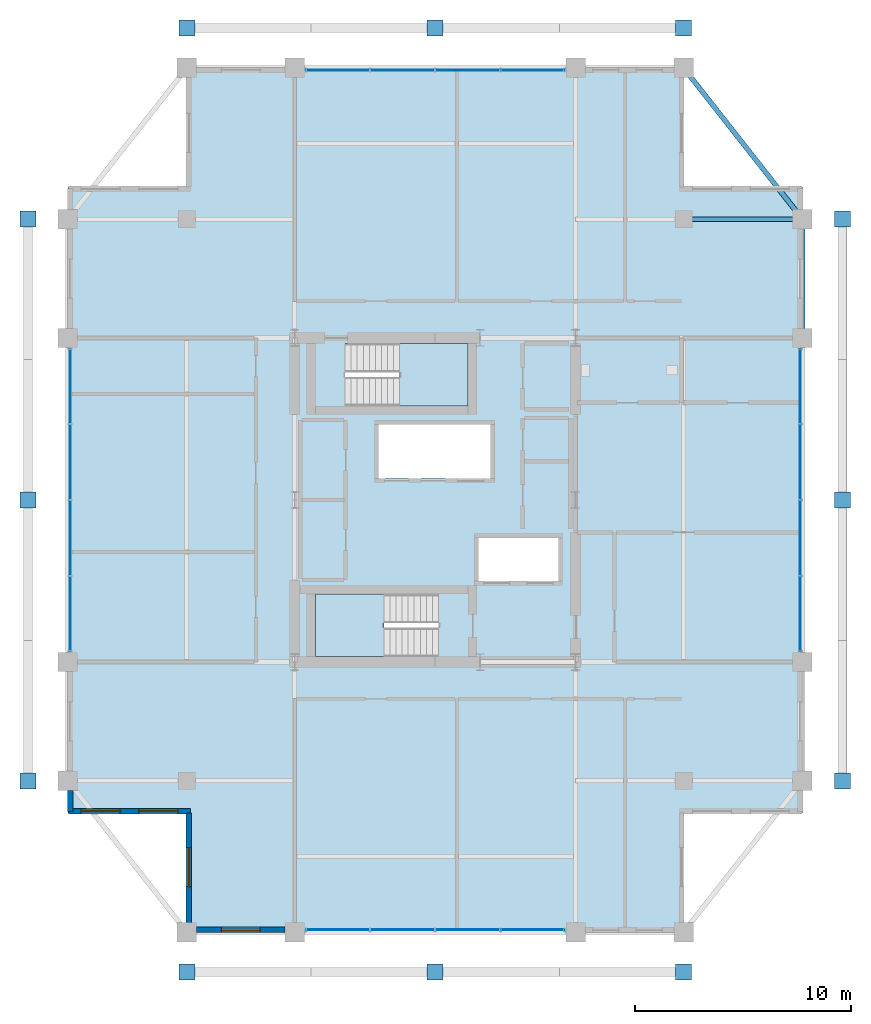
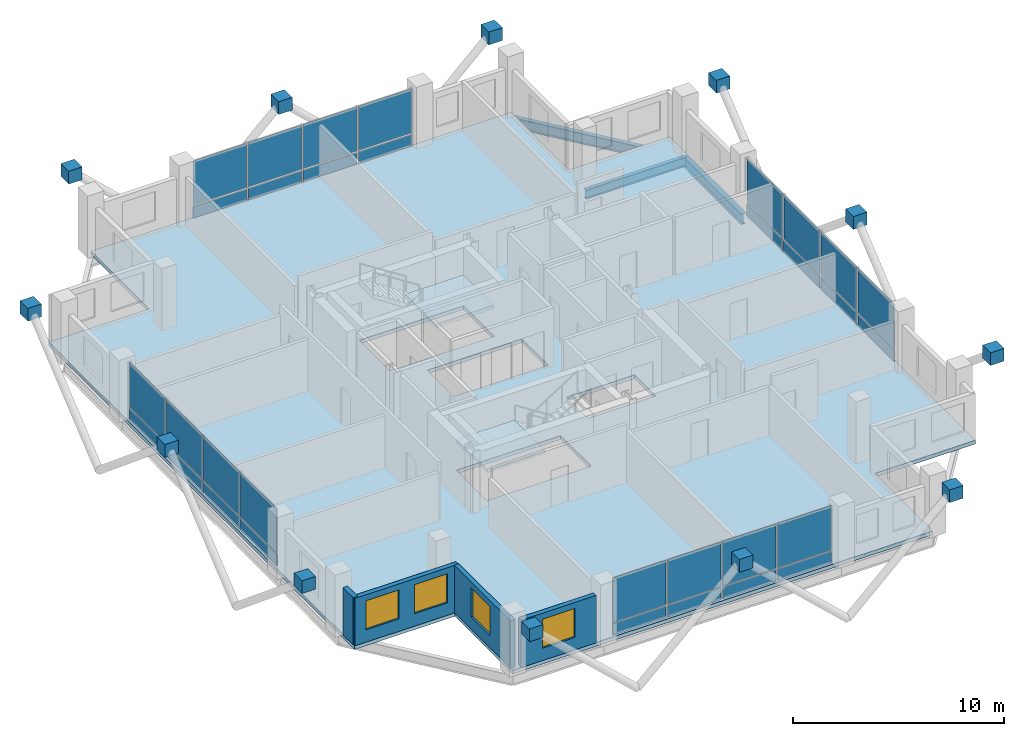
# One storey, part 17 of 22: 44 plates, 4 walls, 4 windows, 3 beams, 3 slabs, 4 openings, 6 elements without a shape of their own.
"""IFC4 building model written with IfcOpenShell, lengths in metres."""

from ifc_helpers import new_model, si_unit, direction, frame, frame_2d, origin, origin_2d, place, context, subcontext, project, spatial, polyline, rectangle, i_section, outline, extrude, material, layer, layer_set, material_profile, profile_set, type_object, element, fill, aggregate, save


model = new_model("IFC4")

# Units and contexts
model_context = context("Model", 3, precision=1e-05, world=origin(), true_north=direction((0.0, 1.0)))
body_context = subcontext(model_context, "Body", "Model", "MODEL_VIEW")
ifc_project = project(units=[si_unit("LENGTHUNIT", "METRE"), si_unit("AREAUNIT", "SQUARE_METRE"), si_unit("VOLUMEUNIT", "CUBIC_METRE"), si_unit("PLANEANGLEUNIT", "RADIAN"), si_unit("MASSUNIT", "GRAM", prefix="KILO")], contexts=[model_context])

# Site, building, storey
site_placement = place(None, origin())
site = spatial("IfcSite", under=ifc_project, at=site_placement, CompositionType="ELEMENT")
building_placement = place(site_placement, origin())
building = spatial("IfcBuilding", under=site, at=building_placement, Name="Barlavira Tower and Art Museum", CompositionType="ELEMENT")
storey_placement = place(building_placement, frame((0.0, 0.0, 258.300048828125)))
storey = spatial("IfcBuildingStorey", under=building, at=storey_placement, Name="L67", CompositionType="ELEMENT", Elevation=258.300048828125)

# Beams
ifc_material_1 = material(Name="Steel S355", Category="steel")
ifc_material_profile_1 = material_profile(ifc_material_1, i_section(OverallWidth=0.22998046875, OverallDepth=0.616943359375, WebThickness=0.01318359375, FlangeThickness=0.022216796875, at=origin_2d()), Name="W610x140.0")
ifc_profile_set_1 = profile_set([ifc_material_profile_1], Name="Steel S355")
beam_type_1 = type_object("IfcBeamType", Name="Upper Shaft Spandrel Edge Beam W610x140 Steel S355", PredefinedType="SPANDREL", material=ifc_profile_set_1)
beam_1_placement = place(storey_placement, frame((17.0, 7.5, -0.528564453125), z_axis=(0.0, 1.0, 0.0), x_axis=(-1.0, 0.0, 0.0)))
element("IfcBeam", 1, at=beam_1_placement, inside=storey, type_object=beam_type_1, Name="L67 Spandrel 7", PredefinedType="SPANDREL", context=body_context, shape_type="SweptSolid", body=[
    extrude(i_section(OverallWidth=0.22998046875, OverallDepth=0.616943359375, WebThickness=0.01318359375, FlangeThickness=0.022216796875, at=origin_2d()), origin(), (0.0, 0.0, 1.0), 5.5),
])
beam_2_placement = place(storey_placement, frame((17.0, 13.0, -0.528564453125), z_axis=(-0.617821551932, 0.786318338822, 0.0), x_axis=(-0.786318338822, -0.617821551932, 0.0)))
element("IfcBeam", 2, at=beam_2_placement, inside=storey, type_object=beam_type_1, Name="L67 Spandrel 8", PredefinedType="SPANDREL", context=body_context, shape_type="SweptSolid", body=[
    extrude(i_section(OverallWidth=0.22998046875, OverallDepth=0.616943359375, WebThickness=0.01318359375, FlangeThickness=0.022216796875, at=origin_2d()), origin(), (0.0, 0.0, 1.0), 8.90234375),
])
ifc_material_profile_2 = material_profile(ifc_material_1, i_section(OverallWidth=0.2109375, OverallDepth=0.5390625, WebThickness=0.01171875, FlangeThickness=0.018798828125, at=origin_2d()), Name="W530x109.0")
ifc_profile_set_2 = profile_set([ifc_material_profile_2], Name="Steel S355")
beam_type_2 = type_object("IfcBeamType", Name="Zone 3-4 Primary Floor Girder W530x109 Steel S355", PredefinedType="BEAM", material=ifc_profile_set_2)
beam_3_placement = place(storey_placement, frame((11.5, 13.0, -0.489501953125), z_axis=(1.0, 0.0, 0.0), x_axis=(0.0, 1.0, 0.0)))
element("IfcBeam", 3, at=beam_3_placement, inside=storey, type_object=beam_type_2, Name="L67 Girder I-N4", PredefinedType="BEAM", context=body_context, shape_type="SweptSolid", body=[
    extrude(i_section(OverallWidth=0.2109375, OverallDepth=0.5390625, WebThickness=0.01171875, FlangeThickness=0.018798828125, at=origin_2d()), origin(), (0.0, 0.0, 1.0), 5.5),
])

# Curtain wall, plates
ifc_material_2 = material(Name="Low-iron coastal laminated glass", Category="glass")
ifc_layer_1 = layer(ifc_material_2, 0.2099609375, Name="Low-iron coastal laminated glass")
ifc_layer_set_1 = layer_set([ifc_layer_1], Name="Low-iron coastal laminated glass")
curtain_wall_type = type_object("IfcCurtainWallType", Name="Pale-Metal Unitised Curtain Wall Zone 4", PredefinedType="NOTDEFINED", material=ifc_layer_set_1)
curtain_wall_1_placement = place(storey_placement, origin())
curtain_wall_1 = element("IfcCurtainWall", 4, at=curtain_wall_1_placement, inside=storey, type_object=curtain_wall_type, Name="L67 Curtain Wall CW4-L67-S-B2", PredefinedType="NOTDEFINED")
ifc_material_3 = material(Name="Pale anodised aluminium", Category="aluminium")
ifc_layer_2 = layer(ifc_material_3, 0.044921875, Name="Pale anodised aluminium")
ifc_layer_set_2 = layer_set([ifc_layer_2], Name="Pale anodised aluminium")
plate_type_1 = type_object("IfcPlateType", Name="Curtain Wall Pale-Metal Spandrel Panel 45", PredefinedType="CURTAIN_PANEL", material=ifc_layer_set_2)
plate_1_placement = place(storey_placement, frame((-4.5224609375, -19.89990234375, 0.0400390625), z_axis=(0.0, 0.0, 1.0), x_axis=(1.0, 0.0, 0.0)))
plate_1 = element("IfcPlate", 5, at=plate_1_placement, type_object=plate_type_1, Name="CW4-L67-S-B2 Spandrel Panel 0", PredefinedType="CURTAIN_PANEL", context=body_context, shape_type="SweptSolid", body=[
    extrude(rectangle(XDim=2.9150390625, YDim=0.044921875, at=origin_2d()), origin(), (0.0, 0.0, 1.0), 0.6640625),
])
plate_2_placement = place(storey_placement, frame((-1.507568359375, -19.89990234375, 0.0400390625), z_axis=(0.0, 0.0, 1.0), x_axis=(1.0, 0.0, 0.0)))
plate_2 = element("IfcPlate", 6, at=plate_2_placement, type_object=plate_type_1, Name="CW4-L67-S-B2 Spandrel Panel 1", PredefinedType="CURTAIN_PANEL", context=body_context, shape_type="SweptSolid", body=[
    extrude(rectangle(XDim=2.9150390625, YDim=0.044921875, at=origin_2d()), origin(), (0.0, 0.0, 1.0), 0.6640625),
])
plate_3_placement = place(storey_placement, frame((1.507568359375, -19.89990234375, 0.0400390625), z_axis=(0.0, 0.0, 1.0), x_axis=(1.0, 0.0, 0.0)))
plate_3 = element("IfcPlate", 7, at=plate_3_placement, type_object=plate_type_1, Name="CW4-L67-S-B2 Spandrel Panel 2", PredefinedType="CURTAIN_PANEL", context=body_context, shape_type="SweptSolid", body=[
    extrude(rectangle(XDim=2.9150390625, YDim=0.044921875, at=origin_2d()), origin(), (0.0, 0.0, 1.0), 0.6640625),
])
plate_4_placement = place(storey_placement, frame((4.5224609375, -19.89990234375, 0.0400390625), z_axis=(0.0, 0.0, 1.0), x_axis=(1.0, 0.0, 0.0)))
plate_4 = element("IfcPlate", 8, at=plate_4_placement, type_object=plate_type_1, Name="CW4-L67-S-B2 Spandrel Panel 3", PredefinedType="CURTAIN_PANEL", context=body_context, shape_type="SweptSolid", body=[
    extrude(rectangle(XDim=2.9150390625, YDim=0.044921875, at=origin_2d()), origin(), (0.0, 0.0, 1.0), 0.6640625),
])

curtain_wall_2_placement = place(storey_placement, origin())
curtain_wall_2 = element("IfcCurtainWall", 9, at=curtain_wall_2_placement, inside=storey, type_object=curtain_wall_type, Name="L67 Curtain Wall CW4-L67-N-B2", PredefinedType="NOTDEFINED")
plate_5_placement = place(storey_placement, frame((4.5224609375, 19.89990234375, 0.0400390625), z_axis=(0.0, 0.0, 1.0), x_axis=(-1.0, 0.0, 0.0)))
plate_5 = element("IfcPlate", 10, at=plate_5_placement, type_object=plate_type_1, Name="CW4-L67-N-B2 Spandrel Panel 0", PredefinedType="CURTAIN_PANEL", context=body_context, shape_type="SweptSolid", body=[
    extrude(rectangle(XDim=2.9150390625, YDim=0.044921875, at=origin_2d()), origin(), (0.0, 0.0, 1.0), 0.6640625),
])
plate_6_placement = place(storey_placement, frame((1.507568359375, 19.89990234375, 0.0400390625), z_axis=(0.0, 0.0, 1.0), x_axis=(-1.0, 0.0, 0.0)))
plate_6 = element("IfcPlate", 11, at=plate_6_placement, type_object=plate_type_1, Name="CW4-L67-N-B2 Spandrel Panel 1", PredefinedType="CURTAIN_PANEL", context=body_context, shape_type="SweptSolid", body=[
    extrude(rectangle(XDim=2.9150390625, YDim=0.044921875, at=origin_2d()), origin(), (0.0, 0.0, 1.0), 0.6640625),
])
plate_7_placement = place(storey_placement, frame((-1.507568359375, 19.89990234375, 0.0400390625), z_axis=(0.0, 0.0, 1.0), x_axis=(-1.0, 0.0, 0.0)))
plate_7 = element("IfcPlate", 12, at=plate_7_placement, type_object=plate_type_1, Name="CW4-L67-N-B2 Spandrel Panel 2", PredefinedType="CURTAIN_PANEL", context=body_context, shape_type="SweptSolid", body=[
    extrude(rectangle(XDim=2.9150390625, YDim=0.044921875, at=origin_2d()), origin(), (0.0, 0.0, 1.0), 0.6640625),
])
plate_8_placement = place(storey_placement, frame((-4.5224609375, 19.89990234375, 0.0400390625), z_axis=(0.0, 0.0, 1.0), x_axis=(-1.0, 0.0, 0.0)))
plate_8 = element("IfcPlate", 13, at=plate_8_placement, type_object=plate_type_1, Name="CW4-L67-N-B2 Spandrel Panel 3", PredefinedType="CURTAIN_PANEL", context=body_context, shape_type="SweptSolid", body=[
    extrude(rectangle(XDim=2.9150390625, YDim=0.044921875, at=origin_2d()), origin(), (0.0, 0.0, 1.0), 0.6640625),
])

curtain_wall_3_placement = place(storey_placement, origin())
curtain_wall_3 = element("IfcCurtainWall", 14, at=curtain_wall_3_placement, inside=storey, type_object=curtain_wall_type, Name="L67 Curtain Wall CW4-L67-W-B3", PredefinedType="NOTDEFINED")
plate_9_placement = place(storey_placement, frame((-16.89990234375, 5.2724609375, 0.0400390625), z_axis=(0.0, 0.0, 1.0), x_axis=(0.0, -1.0, 0.0)))
plate_9 = element("IfcPlate", 15, at=plate_9_placement, type_object=plate_type_1, Name="CW4-L67-W-B3 Spandrel Panel 0", PredefinedType="CURTAIN_PANEL", context=body_context, shape_type="SweptSolid", body=[
    extrude(rectangle(XDim=3.4150390625, YDim=0.044921875, at=origin_2d()), origin(), (0.0, 0.0, 1.0), 0.6640625),
])
plate_10_placement = place(storey_placement, frame((-16.89990234375, 1.757568359375, 0.0400390625), z_axis=(0.0, 0.0, 1.0), x_axis=(0.0, -1.0, 0.0)))
plate_10 = element("IfcPlate", 16, at=plate_10_placement, type_object=plate_type_1, Name="CW4-L67-W-B3 Spandrel Panel 1", PredefinedType="CURTAIN_PANEL", context=body_context, shape_type="SweptSolid", body=[
    extrude(rectangle(XDim=3.4150390625, YDim=0.044921875, at=origin_2d()), origin(), (0.0, 0.0, 1.0), 0.6640625),
])
plate_11_placement = place(storey_placement, frame((-16.89990234375, -1.757568359375, 0.0400390625), z_axis=(0.0, 0.0, 1.0), x_axis=(0.0, -1.0, 0.0)))
plate_11 = element("IfcPlate", 17, at=plate_11_placement, type_object=plate_type_1, Name="CW4-L67-W-B3 Spandrel Panel 2", PredefinedType="CURTAIN_PANEL", context=body_context, shape_type="SweptSolid", body=[
    extrude(rectangle(XDim=3.4150390625, YDim=0.044921875, at=origin_2d()), origin(), (0.0, 0.0, 1.0), 0.6640625),
])
plate_12_placement = place(storey_placement, frame((-16.89990234375, -5.2724609375, 0.0400390625), z_axis=(0.0, 0.0, 1.0), x_axis=(0.0, -1.0, 0.0)))
plate_12 = element("IfcPlate", 18, at=plate_12_placement, type_object=plate_type_1, Name="CW4-L67-W-B3 Spandrel Panel 3", PredefinedType="CURTAIN_PANEL", context=body_context, shape_type="SweptSolid", body=[
    extrude(rectangle(XDim=3.4150390625, YDim=0.044921875, at=origin_2d()), origin(), (0.0, 0.0, 1.0), 0.6640625),
])

curtain_wall_4_placement = place(storey_placement, origin())
curtain_wall_4 = element("IfcCurtainWall", 19, at=curtain_wall_4_placement, inside=storey, type_object=curtain_wall_type, Name="L67 Curtain Wall CW4-L67-E-B3", PredefinedType="NOTDEFINED")
plate_13_placement = place(storey_placement, frame((16.89990234375, -5.2724609375, 0.0400390625), z_axis=(0.0, 0.0, 1.0), x_axis=(0.0, 1.0, 0.0)))
plate_13 = element("IfcPlate", 20, at=plate_13_placement, type_object=plate_type_1, Name="CW4-L67-E-B3 Spandrel Panel 0", PredefinedType="CURTAIN_PANEL", context=body_context, shape_type="SweptSolid", body=[
    extrude(rectangle(XDim=3.4150390625, YDim=0.044921875, at=origin_2d()), origin(), (0.0, 0.0, 1.0), 0.6640625),
])
plate_14_placement = place(storey_placement, frame((16.89990234375, -1.757568359375, 0.0400390625), z_axis=(0.0, 0.0, 1.0), x_axis=(0.0, 1.0, 0.0)))
plate_14 = element("IfcPlate", 21, at=plate_14_placement, type_object=plate_type_1, Name="CW4-L67-E-B3 Spandrel Panel 1", PredefinedType="CURTAIN_PANEL", context=body_context, shape_type="SweptSolid", body=[
    extrude(rectangle(XDim=3.4150390625, YDim=0.044921875, at=origin_2d()), origin(), (0.0, 0.0, 1.0), 0.6640625),
])
plate_15_placement = place(storey_placement, frame((16.89990234375, 1.757568359375, 0.0400390625), z_axis=(0.0, 0.0, 1.0), x_axis=(0.0, 1.0, 0.0)))
plate_15 = element("IfcPlate", 22, at=plate_15_placement, type_object=plate_type_1, Name="CW4-L67-E-B3 Spandrel Panel 2", PredefinedType="CURTAIN_PANEL", context=body_context, shape_type="SweptSolid", body=[
    extrude(rectangle(XDim=3.4150390625, YDim=0.044921875, at=origin_2d()), origin(), (0.0, 0.0, 1.0), 0.6640625),
])
plate_16_placement = place(storey_placement, frame((16.89990234375, 5.2724609375, 0.0400390625), z_axis=(0.0, 0.0, 1.0), x_axis=(0.0, 1.0, 0.0)))
plate_16 = element("IfcPlate", 23, at=plate_16_placement, type_object=plate_type_1, Name="CW4-L67-E-B3 Spandrel Panel 3", PredefinedType="CURTAIN_PANEL", context=body_context, shape_type="SweptSolid", body=[
    extrude(rectangle(XDim=3.4150390625, YDim=0.044921875, at=origin_2d()), origin(), (0.0, 0.0, 1.0), 0.6640625),
])

# Plate
ifc_layer_3 = layer(ifc_material_2, 0.028076171875, Name="Low-iron coastal laminated glass")
ifc_layer_set_3 = layer_set([ifc_layer_3], Name="Low-iron coastal laminated glass")
plate_type_2 = type_object("IfcPlateType", Name="Curtain Wall Vision Glazing Panel 28", PredefinedType="CURTAIN_PANEL", material=ifc_layer_set_3)
plate_17_placement = place(storey_placement, frame((-4.5224609375, -19.89990234375, 0.7841796875), z_axis=(0.0, 0.0, 1.0), x_axis=(1.0, 0.0, 0.0)))
plate_17 = element("IfcPlate", 24, at=plate_17_placement, type_object=plate_type_2, Name="CW4-L67-S-B2 Vision Glass Panel 0", PredefinedType="CURTAIN_PANEL", context=body_context, shape_type="SweptSolid", body=[
    extrude(rectangle(XDim=2.9150390625, YDim=0.028076171875, at=origin_2d()), origin(), (0.0, 0.0, 1.0), 2.555908203125),
])

plate_18_placement = place(storey_placement, frame((-1.507568359375, -19.89990234375, 0.7841796875), z_axis=(0.0, 0.0, 1.0), x_axis=(1.0, 0.0, 0.0)))
plate_18 = element("IfcPlate", 25, at=plate_18_placement, type_object=plate_type_2, Name="CW4-L67-S-B2 Vision Glass Panel 1", PredefinedType="CURTAIN_PANEL", context=body_context, shape_type="SweptSolid", body=[
    extrude(rectangle(XDim=2.9150390625, YDim=0.028076171875, at=origin_2d()), origin(), (0.0, 0.0, 1.0), 2.555908203125),
])

plate_19_placement = place(storey_placement, frame((1.507568359375, -19.89990234375, 0.7841796875), z_axis=(0.0, 0.0, 1.0), x_axis=(1.0, 0.0, 0.0)))
plate_19 = element("IfcPlate", 26, at=plate_19_placement, type_object=plate_type_2, Name="CW4-L67-S-B2 Vision Glass Panel 2", PredefinedType="CURTAIN_PANEL", context=body_context, shape_type="SweptSolid", body=[
    extrude(rectangle(XDim=2.9150390625, YDim=0.028076171875, at=origin_2d()), origin(), (0.0, 0.0, 1.0), 2.555908203125),
])

plate_20_placement = place(storey_placement, frame((4.5224609375, -19.89990234375, 0.7841796875), z_axis=(0.0, 0.0, 1.0), x_axis=(1.0, 0.0, 0.0)))
plate_20 = element("IfcPlate", 27, at=plate_20_placement, type_object=plate_type_2, Name="CW4-L67-S-B2 Vision Glass Panel 3", PredefinedType="CURTAIN_PANEL", context=body_context, shape_type="SweptSolid", body=[
    extrude(rectangle(XDim=2.9150390625, YDim=0.028076171875, at=origin_2d()), origin(), (0.0, 0.0, 1.0), 2.555908203125),
])

aggregate(curtain_wall_1, [plate_1, plate_17, plate_2, plate_18, plate_3, plate_19, plate_4, plate_20])

plate_21_placement = place(storey_placement, frame((4.5224609375, 19.89990234375, 0.7841796875), z_axis=(0.0, 0.0, 1.0), x_axis=(-1.0, 0.0, 0.0)))
plate_21 = element("IfcPlate", 28, at=plate_21_placement, type_object=plate_type_2, Name="CW4-L67-N-B2 Vision Glass Panel 0", PredefinedType="CURTAIN_PANEL", context=body_context, shape_type="SweptSolid", body=[
    extrude(rectangle(XDim=2.9150390625, YDim=0.028076171875, at=origin_2d()), origin(), (0.0, 0.0, 1.0), 2.555908203125),
])

plate_22_placement = place(storey_placement, frame((1.507568359375, 19.89990234375, 0.7841796875), z_axis=(0.0, 0.0, 1.0), x_axis=(-1.0, 0.0, 0.0)))
plate_22 = element("IfcPlate", 29, at=plate_22_placement, type_object=plate_type_2, Name="CW4-L67-N-B2 Vision Glass Panel 1", PredefinedType="CURTAIN_PANEL", context=body_context, shape_type="SweptSolid", body=[
    extrude(rectangle(XDim=2.9150390625, YDim=0.028076171875, at=origin_2d()), origin(), (0.0, 0.0, 1.0), 2.555908203125),
])

plate_23_placement = place(storey_placement, frame((-1.507568359375, 19.89990234375, 0.7841796875), z_axis=(0.0, 0.0, 1.0), x_axis=(-1.0, 0.0, 0.0)))
plate_23 = element("IfcPlate", 30, at=plate_23_placement, type_object=plate_type_2, Name="CW4-L67-N-B2 Vision Glass Panel 2", PredefinedType="CURTAIN_PANEL", context=body_context, shape_type="SweptSolid", body=[
    extrude(rectangle(XDim=2.9150390625, YDim=0.028076171875, at=origin_2d()), origin(), (0.0, 0.0, 1.0), 2.555908203125),
])

plate_24_placement = place(storey_placement, frame((-4.5224609375, 19.89990234375, 0.7841796875), z_axis=(0.0, 0.0, 1.0), x_axis=(-1.0, 0.0, 0.0)))
plate_24 = element("IfcPlate", 31, at=plate_24_placement, type_object=plate_type_2, Name="CW4-L67-N-B2 Vision Glass Panel 3", PredefinedType="CURTAIN_PANEL", context=body_context, shape_type="SweptSolid", body=[
    extrude(rectangle(XDim=2.9150390625, YDim=0.028076171875, at=origin_2d()), origin(), (0.0, 0.0, 1.0), 2.555908203125),
])

aggregate(curtain_wall_2, [plate_5, plate_21, plate_6, plate_22, plate_7, plate_23, plate_8, plate_24])

plate_25_placement = place(storey_placement, frame((-16.89990234375, 5.2724609375, 0.7841796875), z_axis=(0.0, 0.0, 1.0), x_axis=(0.0, -1.0, 0.0)))
plate_25 = element("IfcPlate", 32, at=plate_25_placement, type_object=plate_type_2, Name="CW4-L67-W-B3 Vision Glass Panel 0", PredefinedType="CURTAIN_PANEL", context=body_context, shape_type="SweptSolid", body=[
    extrude(rectangle(XDim=3.4150390625, YDim=0.028076171875, at=origin_2d()), origin(), (0.0, 0.0, 1.0), 2.555908203125),
])

plate_26_placement = place(storey_placement, frame((-16.89990234375, 1.757568359375, 0.7841796875), z_axis=(0.0, 0.0, 1.0), x_axis=(0.0, -1.0, 0.0)))
plate_26 = element("IfcPlate", 33, at=plate_26_placement, type_object=plate_type_2, Name="CW4-L67-W-B3 Vision Glass Panel 1", PredefinedType="CURTAIN_PANEL", context=body_context, shape_type="SweptSolid", body=[
    extrude(rectangle(XDim=3.4150390625, YDim=0.028076171875, at=origin_2d()), origin(), (0.0, 0.0, 1.0), 2.555908203125),
])

plate_27_placement = place(storey_placement, frame((-16.89990234375, -1.757568359375, 0.7841796875), z_axis=(0.0, 0.0, 1.0), x_axis=(0.0, -1.0, 0.0)))
plate_27 = element("IfcPlate", 34, at=plate_27_placement, type_object=plate_type_2, Name="CW4-L67-W-B3 Vision Glass Panel 2", PredefinedType="CURTAIN_PANEL", context=body_context, shape_type="SweptSolid", body=[
    extrude(rectangle(XDim=3.4150390625, YDim=0.028076171875, at=origin_2d()), origin(), (0.0, 0.0, 1.0), 2.555908203125),
])

plate_28_placement = place(storey_placement, frame((-16.89990234375, -5.2724609375, 0.7841796875), z_axis=(0.0, 0.0, 1.0), x_axis=(0.0, -1.0, 0.0)))
plate_28 = element("IfcPlate", 35, at=plate_28_placement, type_object=plate_type_2, Name="CW4-L67-W-B3 Vision Glass Panel 3", PredefinedType="CURTAIN_PANEL", context=body_context, shape_type="SweptSolid", body=[
    extrude(rectangle(XDim=3.4150390625, YDim=0.028076171875, at=origin_2d()), origin(), (0.0, 0.0, 1.0), 2.555908203125),
])

aggregate(curtain_wall_3, [plate_9, plate_25, plate_10, plate_26, plate_11, plate_27, plate_12, plate_28])

plate_29_placement = place(storey_placement, frame((16.89990234375, -5.2724609375, 0.7841796875), z_axis=(0.0, 0.0, 1.0), x_axis=(0.0, 1.0, 0.0)))
plate_29 = element("IfcPlate", 36, at=plate_29_placement, type_object=plate_type_2, Name="CW4-L67-E-B3 Vision Glass Panel 0", PredefinedType="CURTAIN_PANEL", context=body_context, shape_type="SweptSolid", body=[
    extrude(rectangle(XDim=3.4150390625, YDim=0.028076171875, at=origin_2d()), origin(), (0.0, 0.0, 1.0), 2.555908203125),
])

plate_30_placement = place(storey_placement, frame((16.89990234375, -1.757568359375, 0.7841796875), z_axis=(0.0, 0.0, 1.0), x_axis=(0.0, 1.0, 0.0)))
plate_30 = element("IfcPlate", 37, at=plate_30_placement, type_object=plate_type_2, Name="CW4-L67-E-B3 Vision Glass Panel 1", PredefinedType="CURTAIN_PANEL", context=body_context, shape_type="SweptSolid", body=[
    extrude(rectangle(XDim=3.4150390625, YDim=0.028076171875, at=origin_2d()), origin(), (0.0, 0.0, 1.0), 2.555908203125),
])

plate_31_placement = place(storey_placement, frame((16.89990234375, 1.757568359375, 0.7841796875), z_axis=(0.0, 0.0, 1.0), x_axis=(0.0, 1.0, 0.0)))
plate_31 = element("IfcPlate", 38, at=plate_31_placement, type_object=plate_type_2, Name="CW4-L67-E-B3 Vision Glass Panel 2", PredefinedType="CURTAIN_PANEL", context=body_context, shape_type="SweptSolid", body=[
    extrude(rectangle(XDim=3.4150390625, YDim=0.028076171875, at=origin_2d()), origin(), (0.0, 0.0, 1.0), 2.555908203125),
])

plate_32_placement = place(storey_placement, frame((16.89990234375, 5.2724609375, 0.7841796875), z_axis=(0.0, 0.0, 1.0), x_axis=(0.0, 1.0, 0.0)))
plate_32 = element("IfcPlate", 39, at=plate_32_placement, type_object=plate_type_2, Name="CW4-L67-E-B3 Vision Glass Panel 3", PredefinedType="CURTAIN_PANEL", context=body_context, shape_type="SweptSolid", body=[
    extrude(rectangle(XDim=3.4150390625, YDim=0.028076171875, at=origin_2d()), origin(), (0.0, 0.0, 1.0), 2.555908203125),
])

aggregate(curtain_wall_4, [plate_13, plate_29, plate_14, plate_30, plate_15, plate_31, plate_16, plate_32])

# Plates
ifc_layer_4 = layer(ifc_material_1, 0.739990234375, Name="Steel S355")
ifc_layer_set_4 = layer_set([ifc_layer_4], Name="Steel S355")
plate_type_3 = type_object("IfcPlateType", Name="Exoskeleton Solid Steel Node Cap Plate Assembly Type 4 Steel S355", PredefinedType="USERDEFINED", material=ifc_layer_set_4)
for number, where, z_axis, x_axis, name in (
    (40, (-11.5, -21.85009765625, 3.10986328125), (0.0, 0.0, 1.0), (1.0, 0.0, 0.0), "Exoskeleton Node S ND-L67-0733"),
    (41, (0.0, -21.85009765625, 3.10986328125), (0.0, 0.0, 1.0), (1.0, 0.0, 0.0), "Exoskeleton Node S ND-L67-0734"),
    (42, (11.5, -21.85009765625, 3.10986328125), (0.0, 0.0, 1.0), (1.0, 0.0, 0.0), "Exoskeleton Node S ND-L67-0735"),
    (43, (-11.5, 21.85009765625, 3.10986328125), (0.0, 0.0, 1.0), (1.0, 0.0, 0.0), "Exoskeleton Node N ND-L67-0741"),
    (44, (0.0, 21.85009765625, 3.10986328125), (0.0, 0.0, 1.0), (1.0, 0.0, 0.0), "Exoskeleton Node N ND-L67-0742"),
    (45, (11.5, 21.85009765625, 3.10986328125), (0.0, 0.0, 1.0), (1.0, 0.0, 0.0), "Exoskeleton Node N ND-L67-0743"),
    (46, (-18.85009765625, -13.0, 3.10986328125), (0.0, 0.0, 1.0), (1.0, 0.0, 0.0), "Exoskeleton Node W ND-L67-0749"),
    (47, (-18.85009765625, 0.0, 3.10986328125), (0.0, 0.0, 1.0), (1.0, 0.0, 0.0), "Exoskeleton Node W ND-L67-0750"),
    (48, (-18.85009765625, 13.0, 3.10986328125), (0.0, 0.0, 1.0), (1.0, 0.0, 0.0), "Exoskeleton Node W ND-L67-0751"),
    (49, (18.85009765625, -13.0, 3.10986328125), (0.0, 0.0, 1.0), (1.0, 0.0, 0.0), "Exoskeleton Node E ND-L67-0757"),
    (50, (18.85009765625, 0.0, 3.10986328125), (0.0, 0.0, 1.0), (1.0, 0.0, 0.0), "Exoskeleton Node E ND-L67-0758"),
    (51, (18.85009765625, 13.0, 3.10986328125), (0.0, 0.0, 1.0), (1.0, 0.0, 0.0), "Exoskeleton Node E ND-L67-0759"),
):
    element("IfcPlate", number, at=place(storey_placement, frame(where, z_axis=z_axis, x_axis=x_axis)), inside=storey, type_object=plate_type_3, Name=name, ObjectType="FLANGE_PLATE", PredefinedType="USERDEFINED", context=body_context, shape_type="SweptSolid", body=[
        extrude(rectangle(XDim=0.739990234375, YDim=0.739990234375, at=origin_2d()), origin(), (0.0, 0.0, 1.0), 0.739990234375),
    ])

# Stair, slab
ifc_material_4 = material(Name="Concrete C45", Category="concrete")
stair_type_1 = type_object("IfcStairType", Name="Tower North Dog-Leg Exit Stair Assembly Concrete C45", PredefinedType="TWO_QUARTER_TURN_STAIR", material=ifc_material_4)
stair_1_placement = place(storey_placement, origin())
stair_1 = element("IfcStair", 52, at=stair_1_placement, inside=storey, type_object=stair_type_1, Name="L67 Tower North Exit Stair ST-T2", PredefinedType="TWO_QUARTER_TURN_STAIR")
ifc_layer_5 = layer(ifc_material_4, 0.199951171875, Name="Concrete C45")
ifc_layer_set_5 = layer_set([ifc_layer_5], Name="Concrete C45")
slab_type_1 = type_object("IfcSlabType", Name="Tower North Dog-Leg Exit Stair Half-Landing Slab 200 Concrete C45", PredefinedType="LANDING", material=ifc_layer_set_5)
slab_1_placement = place(storey_placement, frame((0.0, 0.0, 1.599853515625)))
slab_1 = element("IfcSlab", 53, at=slab_1_placement, type_object=slab_type_1, Name="ST-T2 landing 1", PredefinedType="LANDING", context=body_context, shape_type="SweptSolid", body=[
    extrude(outline(polyline([(-1.64990234375, 4.35009765625), (1.530029296875, 4.35009765625), (1.530029296875, 7.25), (-1.64990234375, 7.25), (-1.64990234375, 4.35009765625)])), origin(), (0.0, 0.0, 1.0), 0.2001953125),
])
aggregate(stair_1, [slab_1])

stair_type_2 = type_object("IfcStairType", Name="Tower South Dog-Leg Exit Stair Assembly Concrete C45", PredefinedType="TWO_QUARTER_TURN_STAIR", material=ifc_material_4)
stair_2_placement = place(storey_placement, origin())
stair_2 = element("IfcStair", 54, at=stair_2_placement, inside=storey, type_object=stair_type_2, Name="L67 Tower South Exit Stair ST-T1", PredefinedType="TWO_QUARTER_TURN_STAIR")
ifc_layer_6 = layer(ifc_material_4, 0.199951171875, Name="Concrete C45")
ifc_layer_set_6 = layer_set([ifc_layer_6], Name="Concrete C45")
slab_type_2 = type_object("IfcSlabType", Name="Tower South Dog-Leg Exit Stair Half-Landing Slab 200 Concrete C45", PredefinedType="LANDING", material=ifc_layer_set_6)
slab_2_placement = place(storey_placement, frame((0.0, 0.0, 1.599853515625)))
slab_2 = element("IfcSlab", 55, at=slab_2_placement, type_object=slab_type_2, Name="ST-T1 landing 1", PredefinedType="LANDING", context=body_context, shape_type="SweptSolid", body=[
    extrude(outline(polyline([(-2.3701171875, -4.35009765625), (-5.550048828125, -4.35009765625), (-5.550048828125, -7.25), (-2.3701171875, -7.25), (-2.3701171875, -4.35009765625)])), origin(), (0.0, 0.0, 1.0), 0.2001953125),
])
aggregate(stair_2, [slab_2])

# Slab
ifc_material_5 = material(Name="Concrete C50", Category="concrete")
ifc_layer_7 = layer(ifc_material_5, 0.18994140625, Name="Concrete C50")
ifc_layer_set_7 = layer_set([ifc_layer_7], Name="Concrete C50")
slab_type_3 = type_object("IfcSlabType", Name="Zone 4 Residential Composite Slab 190 Concrete C50", PredefinedType="FLOOR", material=ifc_layer_set_7)
slab_3_placement = place(storey_placement, frame((0.0, 0.0, -0.219970703125)))
element("IfcSlab", 56, at=slab_3_placement, inside=storey, type_object=slab_type_3, Name="L67 Tower Floor Slab", PredefinedType="FLOOR", context=body_context, shape_type="SweptSolid", body=[
    extrude(outline(polyline([(-11.5, -20.0), (11.5, -20.0), (11.5, -14.5), (17.0, -14.5), (17.0, 14.5), (11.5, 14.5), (11.5, 20.0), (-11.5, 20.0), (-11.5, 14.5), (-17.0, 14.5), (-17.0, -14.5), (-11.5, -14.5), (-11.5, -20.0)]), holes=[polyline([(0.14990234375, -4.35009765625), (-5.550048828125, -4.35009765625), (-5.550048828125, -7.25), (0.14990234375, -7.25), (0.14990234375, -4.35009765625)]), polyline([(-4.169921875, 4.35009765625), (1.530029296875, 4.35009765625), (1.530029296875, 7.25), (-4.169921875, 7.25), (-4.169921875, 4.35009765625)]), polyline([(-2.6201171875, 1.0), (2.56005859375, 1.0), (2.56005859375, 3.5), (-2.6201171875, 3.5), (-2.6201171875, 1.0)]), polyline([(2.0, -3.75), (5.699951171875, -3.75), (5.699951171875, -1.75), (2.0, -1.75), (2.0, -3.75)])]), origin(), (0.0, 0.0, 1.0), 0.219970703125),
])

# Wall, opening, window
ifc_material_6 = material(Name="Precast concrete C40", Category="concrete")
ifc_layer_8 = layer(ifc_material_6, 0.25, Name="Precast concrete C40")
ifc_layer_set_8 = layer_set([ifc_layer_8], Name="Precast concrete C40")
wall_type = type_object("IfcWallType", Name="Notched Corner Spandrel Wall 250 Precast Concrete C40", PredefinedType="SOLIDWALL", material=ifc_layer_set_8)
wall_1_placement = place(storey_placement, frame((-11.054931640625, -19.89990234375, 0.0), z_axis=(0.0, 0.0, 1.0), x_axis=(1.0, 0.0, 0.0)))
wall_1 = element("IfcWall", 57, at=wall_1_placement, inside=storey, type_object=wall_type, Name="L67 Coastal Facade Pier Wall CW4-L67-S-1", PredefinedType="SOLIDWALL", context=body_context, shape_type="SweptSolid", body=[
    extrude(rectangle(XDim=4.10986328125, YDim=0.25, at=frame_2d((2.054931640625, 0.0))), origin(), (0.0, 0.0, 1.0), 2.748046875),
])
opening_1_placement = place(wall_1_placement, frame((1.155029296875, 0.0, 0.719970703125)))
opening_1 = element("IfcOpeningElement", 58, at=opening_1_placement, cuts=wall_1, Name="Opening WN-01", PredefinedType="OPENING", context=body_context, shape_type="SweptSolid", body=[
    extrude(rectangle(XDim=1.800048828125, YDim=1.679931640625, at=frame_2d((0.89990234375, 0.83984375))), frame((0.0, 0.135009765625, 0.0), z_axis=(0.0, -1.0, 0.0), x_axis=(1.0, 0.0, 0.0)), (0.0, 0.0, 1.0), 0.27001953125),
])
window_type = type_object("IfcWindowType", Name="Recessed Notch Corner Punch Window 1800x1680", PartitioningType="SINGLE_PANEL", PredefinedType="WINDOW", material=ifc_material_2)
window_1_placement = place(opening_1_placement, origin())
window_1 = element("IfcWindow", 59, at=window_1_placement, inside=storey, type_object=window_type, Name="L67 Punched Facade Window EWP-CW4-L67-S-1-1", OverallHeight=1.679931640625, OverallWidth=1.800048828125, PartitioningType="SINGLE_PANEL", PredefinedType="WINDOW", context=body_context, shape_type="SweptSolid", body=[
    extrude(rectangle(XDim=1.800048828125, YDim=1.679931640625, at=frame_2d((0.89990234375, 0.83984375))), frame((0.0, 0.030029296875, 0.0), z_axis=(0.0, -1.0, 0.0), x_axis=(1.0, 0.0, 0.0)), (0.0, 0.0, 1.0), 0.06005859375),
])
fill(opening_1, window_1)

# Wall
wall_2_placement = place(storey_placement, frame((-16.89990234375, -13.445068359375, 0.0), z_axis=(0.0, 0.0, 1.0), x_axis=(0.0, -1.0, 0.0)))
element("IfcWall", 60, at=wall_2_placement, inside=storey, type_object=wall_type, Name="L67 Coastal Facade Pier Wall CW4-L67-W-5", PredefinedType="SOLIDWALL", context=body_context, shape_type="SweptSolid", body=[
    extrude(rectangle(XDim=0.97998046875, YDim=0.25, at=frame_2d((0.489990234375, 0.0))), origin(), (0.0, 0.0, 1.0), 2.748046875),
])

# Wall, openings, windows
wall_3_placement = place(storey_placement, frame((-16.97998046875, -14.39990234375, 0.0), z_axis=(0.0, 0.0, 1.0), x_axis=(1.0, 0.0, 0.0)))
wall_3 = element("IfcWall", 61, at=wall_3_placement, inside=storey, type_object=wall_type, Name="L67 Notch Corner Wall SW1", PredefinedType="SOLIDWALL", context=body_context, shape_type="SweptSolid", body=[
    extrude(rectangle(XDim=5.659912109375, YDim=0.25, at=frame_2d((2.830078125, 0.0))), origin(), (0.0, 0.0, 1.0), 2.748046875),
])
opening_2_placement = place(wall_3_placement, frame((0.594970703125, 0.0, 0.719970703125)))
opening_2 = element("IfcOpeningElement", 62, at=opening_2_placement, cuts=wall_3, Name="Opening WN-01", PredefinedType="OPENING", context=body_context, shape_type="SweptSolid", body=[
    extrude(rectangle(XDim=1.800048828125, YDim=1.679931640625, at=frame_2d((0.89990234375, 0.83984375))), frame((0.0, 0.135009765625, 0.0), z_axis=(0.0, -1.0, 0.0), x_axis=(1.0, 0.0, 0.0)), (0.0, 0.0, 1.0), 0.27001953125),
])
opening_3_placement = place(wall_3_placement, frame((3.264892578125, 0.0, 0.719970703125)))
opening_3 = element("IfcOpeningElement", 63, at=opening_3_placement, cuts=wall_3, Name="Opening WN-01", PredefinedType="OPENING", context=body_context, shape_type="SweptSolid", body=[
    extrude(rectangle(XDim=1.800048828125, YDim=1.679931640625, at=frame_2d((0.89990234375, 0.83984375))), frame((0.0, 0.135009765625, 0.0), z_axis=(0.0, -1.0, 0.0), x_axis=(1.0, 0.0, 0.0)), (0.0, 0.0, 1.0), 0.27001953125),
])
window_2_placement = place(opening_2_placement, origin())
window_2 = element("IfcWindow", 64, at=window_2_placement, inside=storey, type_object=window_type, Name="L67 Punched Facade Window EW-NTC-L67-SW1-1", OverallHeight=1.679931640625, OverallWidth=1.800048828125, PartitioningType="SINGLE_PANEL", PredefinedType="WINDOW", context=body_context, shape_type="SweptSolid", body=[
    extrude(rectangle(XDim=1.800048828125, YDim=1.679931640625, at=frame_2d((0.89990234375, 0.83984375))), frame((0.0, 0.030029296875, 0.0), z_axis=(0.0, -1.0, 0.0), x_axis=(1.0, 0.0, 0.0)), (0.0, 0.0, 1.0), 0.06005859375),
])
fill(opening_2, window_2)
window_3_placement = place(opening_3_placement, origin())
window_3 = element("IfcWindow", 65, at=window_3_placement, inside=storey, type_object=window_type, Name="L67 Punched Facade Window EW-NTC-L67-SW1-2", OverallHeight=1.679931640625, OverallWidth=1.800048828125, PartitioningType="SINGLE_PANEL", PredefinedType="WINDOW", context=body_context, shape_type="SweptSolid", body=[
    extrude(rectangle(XDim=1.800048828125, YDim=1.679931640625, at=frame_2d((0.89990234375, 0.83984375))), frame((0.0, 0.030029296875, 0.0), z_axis=(0.0, -1.0, 0.0), x_axis=(1.0, 0.0, 0.0)), (0.0, 0.0, 1.0), 0.06005859375),
])
fill(opening_3, window_3)

# Wall, opening, window
wall_4_placement = place(storey_placement, frame((-11.39990234375, -14.47998046875, 0.0), z_axis=(0.0, 0.0, 1.0), x_axis=(0.0, -1.0, 0.0)))
wall_4 = element("IfcWall", 66, at=wall_4_placement, inside=storey, type_object=wall_type, Name="L67 Notch Corner Wall SW2", PredefinedType="SOLIDWALL", context=body_context, shape_type="SweptSolid", body=[
    extrude(rectangle(XDim=5.340087890625, YDim=0.25, at=frame_2d((2.669921875, 0.0))), origin(), (0.0, 0.0, 1.0), 2.748046875),
])
opening_4_placement = place(wall_4_placement, frame((1.614990234375, 0.0, 0.719970703125)))
opening_4 = element("IfcOpeningElement", 67, at=opening_4_placement, cuts=wall_4, Name="Opening WN-01", PredefinedType="OPENING", context=body_context, shape_type="SweptSolid", body=[
    extrude(rectangle(XDim=1.800048828125, YDim=1.679931640625, at=frame_2d((0.89990234375, 0.83984375))), frame((0.0, 0.135009765625, 0.0), z_axis=(0.0, -1.0, 0.0), x_axis=(1.0, 0.0, 0.0)), (0.0, 0.0, 1.0), 0.27001953125),
])
window_4_placement = place(opening_4_placement, origin())
window_4 = element("IfcWindow", 68, at=window_4_placement, inside=storey, type_object=window_type, Name="L67 Punched Facade Window EW-NTC-L67-SW2-1", OverallHeight=1.679931640625, OverallWidth=1.800048828125, PartitioningType="SINGLE_PANEL", PredefinedType="WINDOW", context=body_context, shape_type="SweptSolid", body=[
    extrude(rectangle(XDim=1.800048828125, YDim=1.679931640625, at=frame_2d((0.89990234375, 0.83984375))), frame((0.0, 0.030029296875, 0.0), z_axis=(0.0, -1.0, 0.0), x_axis=(1.0, 0.0, 0.0)), (0.0, 0.0, 1.0), 0.06005859375),
])
fill(opening_4, window_4)

save(model, "model.ifc")
